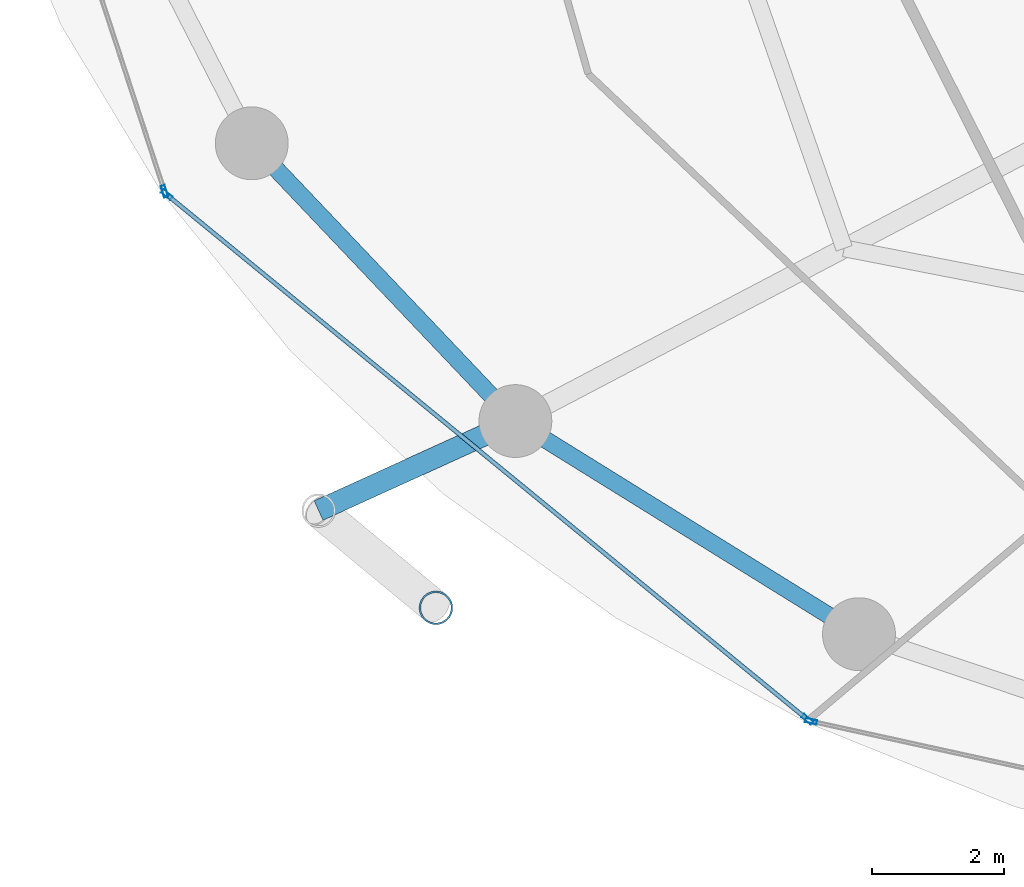
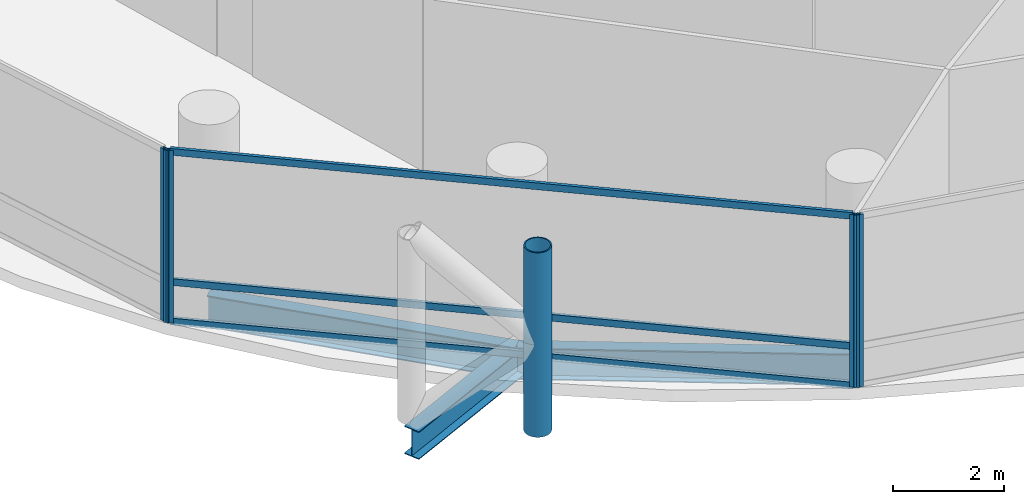
# One storey, part 2 of 24: 8 members, 3 beams, 3 elements without a shape of their own.
"""IFC4 building model written with IfcOpenShell, lengths in metres."""

from ifc_helpers import new_model, si_unit, direction, frame, origin, origin_2d, place, context, subcontext, project, spatial, hollow_rectangle, hollow_circle, i_section, extrude, material, layer, layer_set, material_profile, profile_set, type_object, element, aggregate, save


model = new_model("IFC4")

# Units and contexts
model_context = context("Model", 3, precision=1e-05, world=origin(), true_north=direction((0.0, 1.0)))
body_context = subcontext(model_context, "Body", "Model", "MODEL_VIEW")
ifc_project = project(units=[si_unit("LENGTHUNIT", "METRE"), si_unit("AREAUNIT", "SQUARE_METRE"), si_unit("VOLUMEUNIT", "CUBIC_METRE"), si_unit("PLANEANGLEUNIT", "RADIAN"), si_unit("MASSUNIT", "GRAM", prefix="KILO")], contexts=[model_context])

# Site, building, storey
site_placement = place(None, origin())
site = spatial("IfcSite", under=ifc_project, at=site_placement, CompositionType="ELEMENT")
building_placement = place(site_placement, origin())
building = spatial("IfcBuilding", under=site, at=building_placement, Name="Nuhasar Tower", CompositionType="ELEMENT")
storey_placement = place(building_placement, frame((0.0, 0.0, 33.14990234375)))
storey = spatial("IfcBuildingStorey", under=building, at=storey_placement, Name="L07", CompositionType="ELEMENT", Elevation=33.14990234375)

# Beams
ifc_material_1 = material(Name="Steel S355", Category="steel")
ifc_material_profile_1 = material_profile(ifc_material_1, i_section(OverallWidth=0.256103515625, OverallDepth=0.693115234375, WebThickness=0.014404296875, FlangeThickness=0.023681640625, at=origin_2d()), Name="W27X114")
ifc_profile_set_1 = profile_set([ifc_material_profile_1], Name="Steel S355")
beam_type_1 = type_object("IfcBeamType", Name="BM-RING-W27X114", PredefinedType="SPANDREL", material=ifc_profile_set_1)
beam_1_placement = place(storey_placement, frame((17.305908203125, 16.675048828125, -0.60595703125), z_axis=(0.688459812429, -0.725274490569, 0.0), x_axis=(0.725274490569, 0.688459812429, 0.0)))
element("IfcBeam", 1, at=beam_1_placement, inside=storey, type_object=beam_type_1, Name="L07 Perimeter Ring Spandrel 15", PredefinedType="SPANDREL", context=body_context, shape_type="SweptSolid", body=[
    extrude(i_section(OverallWidth=0.256103515625, OverallDepth=0.693115234375, WebThickness=0.014404296875, FlangeThickness=0.023681640625, at=origin_2d()), origin(), (0.0, 0.0, 1.0), 5.78271484375),
])
beam_2_placement = place(storey_placement, frame((21.287109375, 12.48095703125, -0.60595703125), z_axis=(0.849795216549, -0.527112976439, 0.0), x_axis=(0.527112976439, 0.849795216549, 0.0)))
element("IfcBeam", 2, at=beam_2_placement, inside=storey, type_object=beam_type_1, Name="L07 Perimeter Ring Spandrel 16", PredefinedType="SPANDREL", context=body_context, shape_type="SweptSolid", body=[
    extrude(i_section(OverallWidth=0.256103515625, OverallDepth=0.693115234375, WebThickness=0.014404296875, FlangeThickness=0.023681640625, at=origin_2d()), origin(), (0.0, 0.0, 1.0), 6.10498046875),
])
ifc_material_profile_2 = material_profile(ifc_material_1, i_section(OverallWidth=0.323974609375, OverallDepth=0.611083984375, WebThickness=0.0126953125, FlangeThickness=0.01904296875, at=origin_2d()), Name="W24X104")
ifc_profile_set_2 = profile_set([ifc_material_profile_2], Name="Steel S355")
beam_type_2 = type_object("IfcBeamType", Name="BM-TIE-W24X104", PredefinedType="BEAM", material=ifc_profile_set_2)
beam_3_placement = place(storey_placement, frame((21.287109375, 12.48095703125, -0.56591796875), z_axis=(-0.910243528587, -0.414073325227, 0.0), x_axis=(0.414073325227, -0.910243528587, 0.0)))
element("IfcBeam", 3, at=beam_3_placement, inside=storey, type_object=beam_type_2, Name="L07 Exoskeleton Node Tie Beam 08", PredefinedType="BEAM", context=body_context, shape_type="SweptSolid", body=[
    extrude(i_section(OverallWidth=0.323974609375, OverallDepth=0.611083984375, WebThickness=0.0126953125, FlangeThickness=0.01904296875, at=origin_2d()), origin(), (0.0, 0.0, 1.0), 3.26513671875),
])

# Curtain wall, member
ifc_material_2 = material(Name="Aluminium 6063-T6", Category="aluminium")
ifc_layer = layer(ifc_material_2, 0.199951171875)
ifc_layer_set = layer_set([ifc_layer], Name="Aluminium 6063-T6")
curtain_wall_type = type_object("IfcCurtainWallType", Name="CW-Z1-OFF", PredefinedType="NOTDEFINED", material=ifc_layer_set)
curtain_wall_1_placement = place(storey_placement, origin())
curtain_wall_1 = element("IfcCurtainWall", 4, at=curtain_wall_1_placement, inside=storey, type_object=curtain_wall_type, Name="L07 Unitised Curtain Wall 07", PredefinedType="NOTDEFINED")
ifc_material_profile_3 = material_profile(ifc_material_2, hollow_rectangle(XDim=0.06494140625, YDim=0.179931640625, WallThickness=0.0048828125, at=origin_2d()), Name="CWM-2")
ifc_profile_set_3 = profile_set([ifc_material_profile_3], Name="Aluminium 6063-T6")
member_type_1 = type_object("IfcMemberType", Name="CW-MUL-S2", PredefinedType="MULLION", material=ifc_profile_set_3)
member_1_placement = place(storey_placement, frame((15.98779296875, 15.950927734375, 0.0), z_axis=(0.0, 0.0, 1.0), x_axis=(0.950467534571, 0.310823849997, 0.0)))
member_1 = element("IfcMember", 5, at=member_1_placement, type_object=member_type_1, Name="CW-Z1 mullion 2", PredefinedType="MULLION", context=body_context, shape_type="SweptSolid", body=[
    extrude(hollow_rectangle(XDim=0.06494140625, YDim=0.179931640625, WallThickness=0.0048828125, at=origin_2d()), origin(), (0.0, 0.0, 1.0), 3.7900390625),
])
aggregate(curtain_wall_1, [member_1])

# Curtain wall, members
curtain_wall_2_placement = place(storey_placement, origin())
curtain_wall_2 = element("IfcCurtainWall", 6, at=curtain_wall_2_placement, inside=storey, type_object=curtain_wall_type, Name="L07 Unitised Curtain Wall 08", PredefinedType="NOTDEFINED")
member_2_placement = place(storey_placement, frame((16.023193359375, 15.8994140625, 0.0), z_axis=(0.0, 0.0, 1.0), x_axis=(0.633744593376, 0.773542364946, 0.0)))
member_2 = element("IfcMember", 7, at=member_2_placement, type_object=member_type_1, Name="CW-Z1 mullion 1", PredefinedType="MULLION", context=body_context, shape_type="SweptSolid", body=[
    extrude(hollow_rectangle(XDim=0.06494140625, YDim=0.179931640625, WallThickness=0.0048828125, at=origin_2d()), origin(), (0.0, 0.0, 1.0), 3.7900390625),
])
member_3_placement = place(storey_placement, frame((25.69482421875, 7.9755859375, 0.0), z_axis=(0.0, 0.0, 1.0), x_axis=(0.633744593376, 0.773542364946, 0.0)))
member_3 = element("IfcMember", 8, at=member_3_placement, type_object=member_type_1, Name="CW-Z1 mullion 2", PredefinedType="MULLION", context=body_context, shape_type="SweptSolid", body=[
    extrude(hollow_rectangle(XDim=0.06494140625, YDim=0.179931640625, WallThickness=0.0048828125, at=origin_2d()), origin(), (0.0, 0.0, 1.0), 3.7900390625),
])

# Curtain wall, member
curtain_wall_3_placement = place(storey_placement, origin())
curtain_wall_3 = element("IfcCurtainWall", 9, at=curtain_wall_3_placement, inside=storey, type_object=curtain_wall_type, Name="L07 Unitised Curtain Wall 09", PredefinedType="NOTDEFINED")
member_4_placement = place(storey_placement, frame((25.751708984375, 7.947998046875, 0.0), z_axis=(0.0, 0.0, 1.0), x_axis=(0.214398737637, 0.976746221544, 0.0)))
member_4 = element("IfcMember", 10, at=member_4_placement, type_object=member_type_1, Name="CW-Z1 mullion 1", PredefinedType="MULLION", context=body_context, shape_type="SweptSolid", body=[
    extrude(hollow_rectangle(XDim=0.06494140625, YDim=0.179931640625, WallThickness=0.0048828125, at=origin_2d()), origin(), (0.0, 0.0, 1.0), 3.7900390625),
])
aggregate(curtain_wall_3, [member_4])

# Member
ifc_material_profile_4 = material_profile(ifc_material_2, hollow_rectangle(XDim=0.06494140625, YDim=0.14990234375, WallThickness=0.00439453125, at=origin_2d()), Name="CWT-2")
ifc_profile_set_4 = profile_set([ifc_material_profile_4], Name="Aluminium 6063-T6")
member_type_2 = type_object("IfcMemberType", Name="CW-TRN-S2", PredefinedType="USERDEFINED", material=ifc_profile_set_4)
member_5_placement = place(storey_placement, frame((16.04833984375, 15.87890625, 0.03271484375), z_axis=(0.773531229158, -0.633758185365, 0.0), x_axis=(0.633758185365, 0.773531229158, 0.0)))
member_5 = element("IfcMember", 11, at=member_5_placement, type_object=member_type_2, Name="CW-Z1 transom 1.1", ObjectType="TRANSOM", PredefinedType="USERDEFINED", context=body_context, shape_type="SweptSolid", body=[
    extrude(hollow_rectangle(XDim=0.06494140625, YDim=0.14990234375, WallThickness=0.00439453125, at=origin_2d()), origin(), (0.0, 0.0, 1.0), 12.438232421875),
])

member_6_placement = place(storey_placement, frame((16.04833984375, 15.87890625, 0.900146484375), z_axis=(0.773531229158, -0.633758185365, 0.0), x_axis=(0.633758185365, 0.773531229158, 0.0)))
member_6 = element("IfcMember", 12, at=member_6_placement, type_object=member_type_2, Name="CW-Z1 transom 1.2", ObjectType="TRANSOM", PredefinedType="USERDEFINED", context=body_context, shape_type="SweptSolid", body=[
    extrude(hollow_rectangle(XDim=0.06494140625, YDim=0.14990234375, WallThickness=0.00439453125, at=origin_2d()), origin(), (0.0, 0.0, 1.0), 12.438232421875),
])

member_7_placement = place(storey_placement, frame((16.04833984375, 15.87890625, 3.757568359375), z_axis=(0.773531229158, -0.633758185365, 0.0), x_axis=(0.633758185365, 0.773531229158, 0.0)))
member_7 = element("IfcMember", 13, at=member_7_placement, type_object=member_type_2, Name="CW-Z1 transom 1.3", ObjectType="TRANSOM", PredefinedType="USERDEFINED", context=body_context, shape_type="SweptSolid", body=[
    extrude(hollow_rectangle(XDim=0.06494140625, YDim=0.14990234375, WallThickness=0.00439453125, at=origin_2d()), origin(), (0.0, 0.0, 1.0), 12.438232421875),
])

aggregate(curtain_wall_2, [member_2, member_3, member_5, member_6, member_7])

ifc_material_3 = material(Name="Steel S460", Category="steel")
ifc_material_profile_5 = material_profile(ifc_material_3, hollow_circle(Radius=0.25390625, WallThickness=0.025390625, at=origin_2d()), Name="HSS508X25.4")
ifc_profile_set_5 = profile_set([ifc_material_profile_5], Name="Steel S460")
member_type_3 = type_object("IfcMemberType", Name="EXO-BRONZE-508", PredefinedType="BRACE", material=ifc_profile_set_5)
member_8_placement = place(storey_placement, frame((20.0869140625, 9.660888671875, 0.0), z_axis=(0.0, 0.0, 1.0), x_axis=(1.0, 0.0, 0.0)))
element("IfcMember", 14, at=member_8_placement, inside=storey, type_object=member_type_3, Name="L07 Exoskeleton Chord Column EC-08B", PredefinedType="BRACE", context=body_context, shape_type="SweptSolid", body=[
    extrude(hollow_circle(Radius=0.25390625, WallThickness=0.025390625, at=origin_2d()), origin(), (0.0, 0.0, 1.0), 4.050048828125),
])

save(model, "model.ifc")
